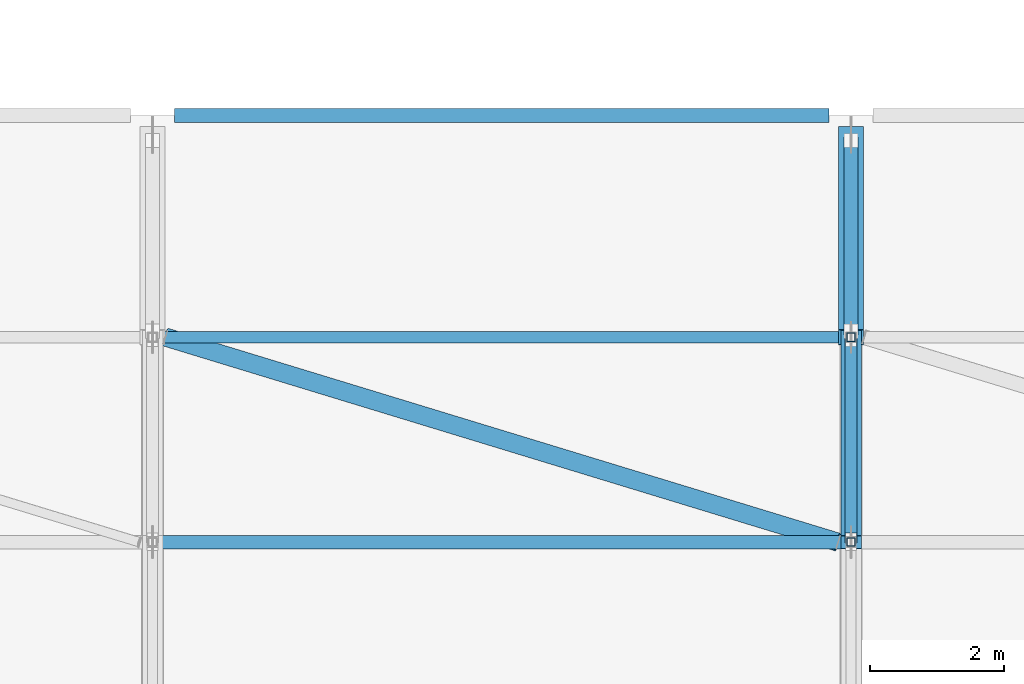
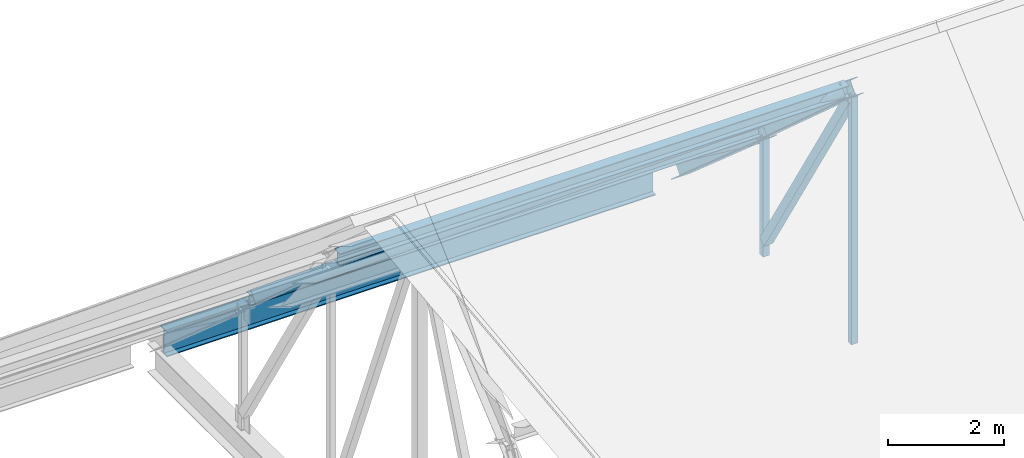
# One storey, part 27 of 86: 7 members, 3 beams.
"""IFC4 building model written with IfcOpenShell, lengths in metres."""

from ifc_helpers import new_model, si_unit, derived_unit, direction, frame, origin, origin_2d, place, context, subcontext, project, spatial, hollow_rectangle, hollow_circle, i_section, extrude, material, material_profile, profile_set, type_object, element, save


model = new_model("IFC4")

# Units and contexts
model_context = context("Model", 3, precision=1e-05, world=origin(), true_north=direction((0.0, 1.0)))
body_context = subcontext(model_context, "Body", "Model", "MODEL_VIEW")
ifc_project = project(units=[si_unit("LENGTHUNIT", "METRE"), si_unit("AREAUNIT", "SQUARE_METRE"), si_unit("VOLUMEUNIT", "CUBIC_METRE"), si_unit("PLANEANGLEUNIT", "RADIAN"), si_unit("MASSUNIT", "GRAM", prefix="KILO"), derived_unit("THERMALTRANSMITTANCEUNIT", [(si_unit("POWERUNIT", "WATT"), 1), (si_unit("LENGTHUNIT", "METRE"), -2), (si_unit("THERMODYNAMICTEMPERATUREUNIT", "KELVIN"), -1)])], contexts=[model_context])

# Site, building, storey
site_placement = place(None, origin())
site = spatial("IfcSite", under=ifc_project, at=site_placement, CompositionType="ELEMENT")
building_placement = place(site_placement, origin())
building = spatial("IfcBuilding", under=site, at=building_placement, Name="Braskholm Square Health Centre", CompositionType="ELEMENT")
storey_placement = place(building_placement, frame((0.0, 0.0, 13.5)))
storey = spatial("IfcBuildingStorey", under=building, at=storey_placement, Name="L04", CompositionType="ELEMENT", Elevation=13.5)

# Member
ifc_material_1 = material(Name="Steel ASTM A500 Grade C", Category="steel")
ifc_material_profile_1 = material_profile(ifc_material_1, hollow_circle(Radius=0.136474609375, WallThickness=0.01171875, at=origin_2d()), Name="HSS10.750X0.500")
ifc_profile_set_1 = profile_set([ifc_material_profile_1], Name="Steel ASTM A500 Grade C")
member_type_1 = type_object("IfcMemberType", Name="RoofPlanBraceCHS273", PredefinedType="BRACE", material=ifc_profile_set_1)
member_1_placement = place(storey_placement, frame((79.0, 103.699951171875, 2.402099609375), z_axis=(0.925704815743, -0.282344488845, 0.251698596995), x_axis=(0.291736758099, 0.956498648182, 0.0)))
element("IfcMember", 1, at=member_1_placement, inside=storey, type_object=member_type_1, Name="ROOF TRUSS slope brace North Bay 4", PredefinedType="BRACE", context=body_context, shape_type="SweptSolid", body=[
    extrude(hollow_circle(Radius=0.136474609375, WallThickness=0.01171875, at=origin_2d()), origin(), (0.0, 0.0, 1.0), 10.802490234375),
])

# Beams
ifc_material_2 = material(Name="Steel ASTM A992 Grade 50", Category="steel")
ifc_material_profile_2 = material_profile(ifc_material_2, i_section(OverallWidth=0.201904296875, OverallDepth=0.2470703125, WebThickness=0.00732421875, FlangeThickness=0.010986328125, at=origin_2d()), Name="W10X33")
ifc_profile_set_2 = profile_set([ifc_material_profile_2], Name="Steel ASTM A992 Grade 50")
beam_type_1 = type_object("IfcBeamType", Name="RoofPurlinJoistW10X33", PredefinedType="JOIST", material=ifc_profile_set_2)
beam_1_placement = place(storey_placement, frame((78.919921875, 100.64990234375, 5.12109375), z_axis=(1.0, 0.0, 0.0), x_axis=(0.0, 1.0, 0.0)))
element("IfcBeam", 2, at=beam_1_placement, inside=storey, type_object=beam_type_1, Name="ROOF TRUSS purlin joist 019", PredefinedType="JOIST", context=body_context, shape_type="SweptSolid", body=[
    extrude(i_section(OverallWidth=0.201904296875, OverallDepth=0.2470703125, WebThickness=0.00732421875, FlangeThickness=0.010986328125, at=origin_2d()), origin(), (0.0, 0.0, 1.0), 10.16015625),
])
ifc_material_profile_3 = material_profile(ifc_material_2, i_section(OverallWidth=0.1650390625, OverallDepth=0.200927734375, WebThickness=0.006103515625, FlangeThickness=0.01025390625, at=origin_2d()), Name="W8X24")
ifc_profile_set_3 = profile_set([ifc_material_profile_3], Name="Steel ASTM A992 Grade 50")
beam_type_2 = type_object("IfcBeamType", Name="RoofPurlinJoistW8X24", PredefinedType="JOIST", material=ifc_profile_set_3)
beam_2_placement = place(storey_placement, frame((78.919921875, 103.699951171875, 2.402099609375), z_axis=(1.0, 0.0, 0.0), x_axis=(0.0, 1.0, 0.0)))
element("IfcBeam", 3, at=beam_2_placement, inside=storey, type_object=beam_type_2, Name="ROOF TRUSS purlin joist 020", PredefinedType="JOIST", context=body_context, shape_type="SweptSolid", body=[
    extrude(i_section(OverallWidth=0.1650390625, OverallDepth=0.200927734375, WebThickness=0.006103515625, FlangeThickness=0.01025390625, at=origin_2d()), origin(), (0.0, 0.0, 1.0), 10.16015625),
])
ifc_material_profile_4 = material_profile(ifc_material_2, i_section(OverallWidth=0.2119140625, OverallDepth=0.5439453125, WebThickness=0.01318359375, FlangeThickness=0.021240234375, at=origin_2d()), Name="W21X83")
ifc_profile_set_4 = profile_set([ifc_material_profile_4], Name="Steel ASTM A992 Grade 50")
beam_type_3 = type_object("IfcBeamType", Name="SteelGirderEaveW21X83", PredefinedType="BEAM", material=ifc_profile_set_4)
beam_3_placement = place(storey_placement, frame((79.125, 107.0, -0.572021484375), z_axis=(1.0, 0.0, 0.0), x_axis=(0.0, 1.0, 0.0)))
element("IfcBeam", 4, at=beam_3_placement, inside=storey, type_object=beam_type_3, Name="Beam 11-12/R L04", PredefinedType="BEAM", context=body_context, shape_type="SweptSolid", body=[
    extrude(i_section(OverallWidth=0.2119140625, OverallDepth=0.5439453125, WebThickness=0.01318359375, FlangeThickness=0.021240234375, at=origin_2d()), origin(), (0.0, 0.0, 1.0), 9.75),
])

# Members
ifc_material_profile_5 = material_profile(ifc_material_2, i_section(OverallWidth=0.304931640625, OverallDepth=0.306884765625, WebThickness=0.010009765625, FlangeThickness=0.015380859375, at=origin_2d()), Name="W12X65")
ifc_profile_set_5 = profile_set([ifc_material_profile_5], Name="Steel ASTM A992 Grade 50")
member_type_2 = type_object("IfcMemberType", Name="TrussHipChordW12X65", PredefinedType="CHORD", material=ifc_profile_set_5)
member_2_placement = place(storey_placement, frame((89.199951171875, 100.64990234375, 5.101318359375), z_axis=(0.0, 0.746426169494, -0.665468236278), x_axis=(-1.0, 0.0, 0.0)))
element("IfcMember", 5, at=member_2_placement, inside=storey, type_object=member_type_2, Name="ROOF TRUSS top chord TR-05-5", PredefinedType="CHORD", context=body_context, shape_type="SweptSolid", body=[
    extrude(i_section(OverallWidth=0.304931640625, OverallDepth=0.306884765625, WebThickness=0.010009765625, FlangeThickness=0.015380859375, at=origin_2d()), origin(), (0.0, 0.0, 1.0), 4.086181640625),
])
ifc_material_profile_6 = material_profile(ifc_material_1, hollow_rectangle(XDim=0.177734375, YDim=0.177734375, WallThickness=0.0087890625, at=origin_2d()), Name="HSS7X7X3/8")
ifc_profile_set_6 = profile_set([ifc_material_profile_6], Name="Steel ASTM A500 Grade C")
member_type_3 = type_object("IfcMemberType", Name="TrussInnerDiagHSS7X7", PredefinedType="BRACE", material=ifc_profile_set_6)
member_3_placement = place(storey_placement, frame((89.199951171875, 103.636962890625, 0.06201171875), z_axis=(0.0, -0.522065213128, 0.852905571117), x_axis=(1.0, 0.0, 0.0)))
element("IfcMember", 6, at=member_3_placement, inside=storey, type_object=member_type_3, Name="ROOF TRUSS diagonal web TR-05-D5", PredefinedType="BRACE", context=body_context, shape_type="SweptSolid", body=[
    extrude(hollow_rectangle(XDim=0.177734375, YDim=0.177734375, WallThickness=0.0087890625, at=origin_2d()), origin(), (0.0, 0.0, 1.0), 5.60107421875),
])
ifc_material_profile_7 = material_profile(ifc_material_1, hollow_rectangle(XDim=0.203125, YDim=0.203125, WallThickness=0.01171875, at=origin_2d()), Name="HSS8X8X1/2")
ifc_profile_set_7 = profile_set([ifc_material_profile_7], Name="Steel ASTM A500 Grade C")
member_type_4 = type_object("IfcMemberType", Name="TrussOuterDiagHSS8X8X12", PredefinedType="BRACE", material=ifc_profile_set_7)
member_4_placement = place(storey_placement, frame((89.199951171875, 106.6240234375, 0.031982421875), z_axis=(0.0, -0.800430964811, 0.599424949908), x_axis=(1.0, 0.0, 0.0)))
element("IfcMember", 7, at=member_4_placement, inside=storey, type_object=member_type_4, Name="ROOF TRUSS diagonal web TR-05-D6", PredefinedType="BRACE", context=body_context, shape_type="SweptSolid", body=[
    extrude(hollow_rectangle(XDim=0.203125, YDim=0.203125, WallThickness=0.01171875, at=origin_2d()), origin(), (0.0, 0.0, 1.0), 3.533203125),
])
ifc_material_profile_8 = material_profile(ifc_material_2, i_section(OverallWidth=0.368896484375, OverallDepth=0.35595703125, WebThickness=0.01123046875, FlangeThickness=0.01806640625, at=origin_2d()), Name="W14X90")
ifc_profile_set_8 = profile_set([ifc_material_profile_8], Name="Steel ASTM A992 Grade 50")
member_type_5 = type_object("IfcMemberType", Name="TrussTopChordW14X90", PredefinedType="CHORD", material=ifc_profile_set_8)
member_5_placement = place(storey_placement, frame((89.199951171875, 103.699951171875, 2.382080078125), z_axis=(0.0, 0.752629458895, -0.658444301064), x_axis=(-1.0, 0.0, 0.0)))
element("IfcMember", 8, at=member_5_placement, inside=storey, type_object=member_type_5, Name="ROOF TRUSS top chord TR-05-6", PredefinedType="CHORD", context=body_context, shape_type="SweptSolid", body=[
    extrude(i_section(OverallWidth=0.368896484375, OverallDepth=0.35595703125, WebThickness=0.01123046875, FlangeThickness=0.01806640625, at=origin_2d()), origin(), (0.0, 0.0, 1.0), 4.0126953125),
])
ifc_material_profile_9 = material_profile(ifc_material_1, hollow_rectangle(XDim=0.126953125, YDim=0.126953125, WallThickness=0.00732421875, at=origin_2d()), Name="HSS5X5X5/16")
ifc_profile_set_9 = profile_set([ifc_material_profile_9], Name="Steel ASTM A500 Grade C")
member_type_6 = type_object("IfcMemberType", Name="TrussVerticalStrutHSS5X5", PredefinedType="STRUT", material=ifc_profile_set_9)
member_6_placement = place(storey_placement, frame((89.199951171875, 100.64990234375, -0.27001953125), z_axis=(0.0, 0.0, 1.0), x_axis=(1.0, 0.0, 0.0)))
element("IfcMember", 9, at=member_6_placement, inside=storey, type_object=member_type_6, Name="ROOF TRUSS vertical strut TR-05-V4", PredefinedType="STRUT", context=body_context, shape_type="SweptSolid", body=[
    extrude(hollow_rectangle(XDim=0.126953125, YDim=0.126953125, WallThickness=0.00732421875, at=origin_2d()), origin(), (0.0, 0.0, 1.0), 5.21142578125),
])
member_7_placement = place(storey_placement, frame((89.199951171875, 103.699951171875, -0.27001953125), z_axis=(0.0, 0.0, 1.0), x_axis=(1.0, 0.0, 0.0)))
element("IfcMember", 10, at=member_7_placement, inside=storey, type_object=member_type_6, Name="ROOF TRUSS vertical strut TR-05-V5", PredefinedType="STRUT", context=body_context, shape_type="SweptSolid", body=[
    extrude(hollow_rectangle(XDim=0.126953125, YDim=0.126953125, WallThickness=0.00732421875, at=origin_2d()), origin(), (0.0, 0.0, 1.0), 2.4921875),
])

save(model, "model.ifc")
